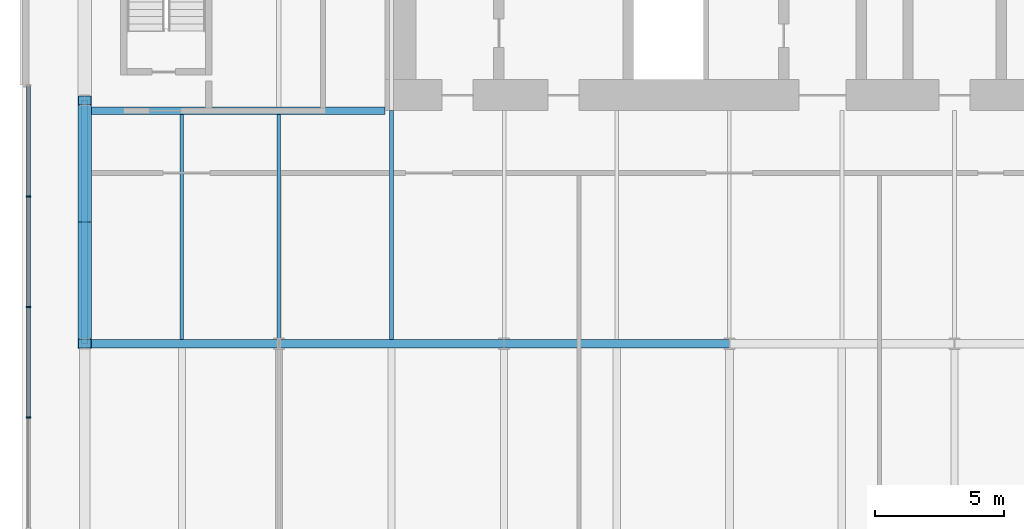
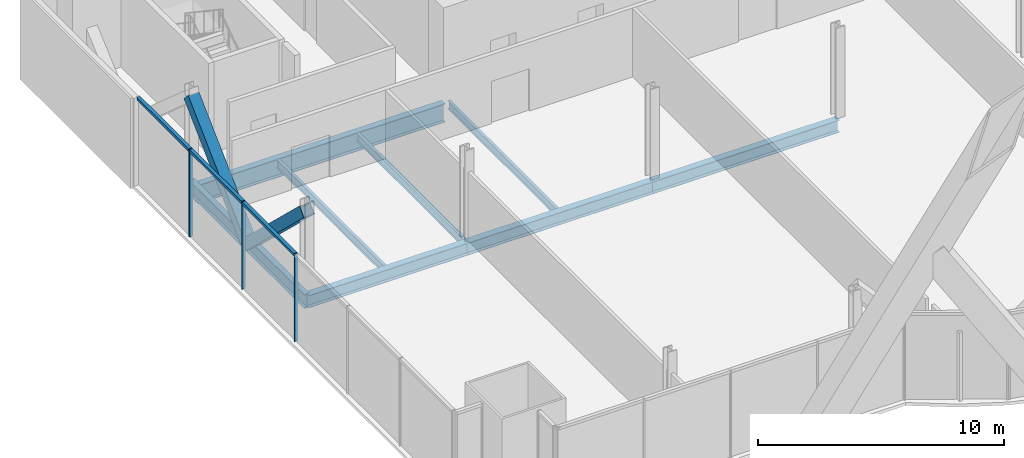
# One storey, part 7 of 23: 8 beams, 8 members, 1 element without a shape of its own.
"""IFC4 building model written with IfcOpenShell, lengths in metres."""

from ifc_helpers import new_model, si_unit, direction, frame, origin, origin_2d, place, context, subcontext, project, spatial, rectangle, hollow_rectangle, i_section, extrude, material, material_profile, profile_set, type_object, element, aggregate, save


model = new_model("IFC4")

# Units and contexts
model_context = context("Model", 3, precision=1e-05, world=origin(), true_north=direction((0.0, 1.0)))
body_context = subcontext(model_context, "Body", "Model", "MODEL_VIEW")
ifc_project = project(units=[si_unit("LENGTHUNIT", "METRE"), si_unit("AREAUNIT", "SQUARE_METRE"), si_unit("VOLUMEUNIT", "CUBIC_METRE"), si_unit("PLANEANGLEUNIT", "RADIAN"), si_unit("MASSUNIT", "GRAM", prefix="KILO")], contexts=[model_context])

# Site, building, storey
site_placement = place(None, origin())
site = spatial("IfcSite", under=ifc_project, at=site_placement, CompositionType="ELEMENT")
building_placement = place(site_placement, origin())
building = spatial("IfcBuilding", under=site, at=building_placement, Name="Bicima Exchange Tower", CompositionType="ELEMENT")
storey_placement = place(building_placement, frame((0.0, 0.0, 53.0)))
storey = spatial("IfcBuildingStorey", under=building, at=storey_placement, Name="L10", CompositionType="ELEMENT", Elevation=53.0)

# Beam
ifc_material_1 = material(Name="Steel ASTM A992 Gr 50", Category="steel")
ifc_material_profile_1 = material_profile(ifc_material_1, i_section(OverallWidth=0.3046875, OverallDepth=0.911865234375, WebThickness=0.015869140625, FlangeThickness=0.02392578125, at=origin_2d()))
ifc_profile_set_1 = profile_set([ifc_material_profile_1], Name="Steel ASTM A992 Gr 50")
beam_type_1 = type_object("IfcBeamType", Name="Core-line girder W36x150", PredefinedType="BEAM", material=ifc_profile_set_1)
beam_1_placement = place(storey_placement, frame((-22.0, -13.0, -0.60595703125), z_axis=(-1.0, 0.0, 0.0), x_axis=(0.0, -1.0, 0.0)))
element("IfcBeam", 1, at=beam_1_placement, inside=storey, type_object=beam_type_1, Name="Core-line girder", PredefinedType="BEAM", context=body_context, shape_type="SweptSolid", body=[
    extrude(i_section(OverallWidth=0.3046875, OverallDepth=0.911865234375, WebThickness=0.015869140625, FlangeThickness=0.02392578125, at=origin_2d()), origin(), (0.0, 0.0, 1.0), 11.60009765625),
])

# Curtain wall, members
ifc_material_2 = material(Name="Anodised bronze aluminium", Category="aluminium")
curtain_wall_type = type_object("IfcCurtainWallType", Name="End face glass wall", PredefinedType="NOTDEFINED", material=ifc_material_2)
curtain_wall_placement = place(storey_placement, origin())
curtain_wall = element("IfcCurtainWall", 2, at=curtain_wall_placement, inside=storey, type_object=curtain_wall_type, Name="End face glass wall L10 run 2", PredefinedType="NOTDEFINED")
ifc_material_profile_2 = material_profile(ifc_material_2, rectangle(XDim=0.159912109375, YDim=0.06005859375, at=origin_2d()))
ifc_profile_set_2 = profile_set([ifc_material_profile_2], Name="Anodised bronze aluminium")
member_type_1 = type_object("IfcMemberType", Name="End face glass wall mullion 60 x 160", PredefinedType="MULLION", material=ifc_profile_set_2)
member_1_placement = place(storey_placement, frame((-35.77001953125, -16.3056640625, 0.0), z_axis=(0.0, 0.0, 1.0), x_axis=(1.0, 0.0, 0.0)))
member_1 = element("IfcMember", 3, at=member_1_placement, type_object=member_type_1, Name="End face glass wall mullion 2", PredefinedType="MULLION", context=body_context, shape_type="SweptSolid", body=[
    extrude(rectangle(XDim=0.159912109375, YDim=0.06005859375, at=origin_2d()), origin(), (0.0, 0.0, 1.0), 4.35009765625),
])
member_2_placement = place(storey_placement, frame((-35.77001953125, -20.581298828125, 0.0), z_axis=(0.0, 0.0, 1.0), x_axis=(1.0, 0.0, 0.0)))
member_2 = element("IfcMember", 4, at=member_2_placement, type_object=member_type_1, Name="End face glass wall mullion 3", PredefinedType="MULLION", context=body_context, shape_type="SweptSolid", body=[
    extrude(rectangle(XDim=0.159912109375, YDim=0.06005859375, at=origin_2d()), origin(), (0.0, 0.0, 1.0), 4.35009765625),
])
member_3_placement = place(storey_placement, frame((-35.77001953125, -24.85693359375, 0.0), z_axis=(0.0, 0.0, 1.0), x_axis=(1.0, 0.0, 0.0)))
member_3 = element("IfcMember", 5, at=member_3_placement, type_object=member_type_1, Name="End face glass wall mullion 4", PredefinedType="MULLION", context=body_context, shape_type="SweptSolid", body=[
    extrude(rectangle(XDim=0.159912109375, YDim=0.06005859375, at=origin_2d()), origin(), (0.0, 0.0, 1.0), 4.35009765625),
])
ifc_material_profile_3 = material_profile(ifc_material_2, rectangle(XDim=0.159912109375, YDim=0.139892578125, at=origin_2d()))
ifc_profile_set_3 = profile_set([ifc_material_profile_3], Name="Anodised bronze aluminium")
member_type_2 = type_object("IfcMemberType", Name="End face glass wall transom 140 x 160", PredefinedType="USERDEFINED", material=ifc_profile_set_3)
member_4_placement = place(storey_placement, frame((-35.77001953125, -12.06005859375, 4.280029296875), z_axis=(0.0, -1.0, 0.0), x_axis=(1.0, 0.0, 0.0)))
member_4 = element("IfcMember", 6, at=member_4_placement, type_object=member_type_2, Name="End face glass wall transom 1.1", ObjectType="TRANSOM", PredefinedType="USERDEFINED", context=body_context, shape_type="SweptSolid", body=[
    extrude(rectangle(XDim=0.159912109375, YDim=0.139892578125, at=origin_2d()), origin(), (0.0, 0.0, 1.0), 4.215576171875),
])
member_5_placement = place(storey_placement, frame((-35.77001953125, -16.335693359375, 4.280029296875), z_axis=(0.0, -1.0, 0.0), x_axis=(1.0, 0.0, 0.0)))
member_5 = element("IfcMember", 7, at=member_5_placement, type_object=member_type_2, Name="End face glass wall transom 2.1", ObjectType="TRANSOM", PredefinedType="USERDEFINED", context=body_context, shape_type="SweptSolid", body=[
    extrude(rectangle(XDim=0.159912109375, YDim=0.139892578125, at=origin_2d()), origin(), (0.0, 0.0, 1.0), 4.215576171875),
])
member_6_placement = place(storey_placement, frame((-35.77001953125, -20.611328125, 4.280029296875), z_axis=(0.0, -1.0, 0.0), x_axis=(1.0, 0.0, 0.0)))
member_6 = element("IfcMember", 8, at=member_6_placement, type_object=member_type_2, Name="End face glass wall transom 3.1", ObjectType="TRANSOM", PredefinedType="USERDEFINED", context=body_context, shape_type="SweptSolid", body=[
    extrude(rectangle(XDim=0.159912109375, YDim=0.139892578125, at=origin_2d()), origin(), (0.0, 0.0, 1.0), 4.215576171875),
])
aggregate(curtain_wall, [member_1, member_2, member_3, member_4, member_5, member_6])

# Beams
ifc_material_profile_4 = material_profile(ifc_material_1, i_section(OverallWidth=0.256591796875, OverallDepth=0.693359375, WebThickness=0.014404296875, FlangeThickness=0.023681640625, at=origin_2d()))
ifc_profile_set_4 = profile_set([ifc_material_profile_4], Name="Steel ASTM A992 Gr 50")
beam_type_2 = type_object("IfcBeamType", Name="End girder W27x114", PredefinedType="BEAM", material=ifc_profile_set_4)
beam_2_placement = place(storey_placement, frame((-33.60009765625, -12.60009765625, -0.49658203125), z_axis=(0.0, -1.0, 0.0), x_axis=(1.0, 0.0, 0.0)))
element("IfcBeam", 9, at=beam_2_placement, inside=storey, type_object=beam_type_2, Name="End girder", PredefinedType="BEAM", context=body_context, shape_type="SweptSolid", body=[
    extrude(i_section(OverallWidth=0.256591796875, OverallDepth=0.693359375, WebThickness=0.014404296875, FlangeThickness=0.023681640625, at=origin_2d()), origin(), (0.0, 0.0, 1.0), 9.39990234375),
])
ifc_material_profile_5 = material_profile(ifc_material_1, i_section(OverallWidth=0.140380859375, OverallDepth=0.40380859375, WebThickness=0.007080078125, FlangeThickness=0.01123046875, at=origin_2d()))
ifc_profile_set_5 = profile_set([ifc_material_profile_5], Name="Steel ASTM A992 Gr 50")
beam_type_3 = type_object("IfcBeamType", Name="Floor beam W16x31", PredefinedType="JOIST", material=ifc_profile_set_5)
for number, where, z_axis, x_axis, name in (
    (10, (-29.85009765625, -13.15234375, -0.351806640625), (0.0, -1.0, 0.0), (1.0, 0.0, 0.0), "Floor beam"),
    (11, (-26.10009765625, -13.15234375, -0.351806640625), (0.0, -1.0, 0.0), (1.0, 0.0, 0.0), "Floor beam"),
):
    element("IfcBeam", number, at=place(storey_placement, frame(where, z_axis=z_axis, x_axis=x_axis)), inside=storey, type_object=beam_type_3, Name=name, PredefinedType="JOIST", context=body_context, shape_type="SweptSolid", body=[
        extrude(i_section(OverallWidth=0.140380859375, OverallDepth=0.40380859375, WebThickness=0.007080078125, FlangeThickness=0.01123046875, at=origin_2d()), origin(), (0.0, 0.0, 1.0), 8.68505859375),
    ])
beam_3_placement = place(storey_placement, frame((-21.75, -13.0, -0.351806640625), z_axis=(0.0, -1.0, 0.0), x_axis=(1.0, 0.0, 0.0)))
element("IfcBeam", 12, at=beam_3_placement, inside=storey, type_object=beam_type_3, Name="Floor beam", PredefinedType="JOIST", context=body_context, shape_type="SweptSolid", body=[
    extrude(i_section(OverallWidth=0.140380859375, OverallDepth=0.40380859375, WebThickness=0.007080078125, FlangeThickness=0.01123046875, at=origin_2d()), origin(), (0.0, 0.0, 1.0), 8.83740234375),
])

# Members
ifc_material_3 = material(Name="Steel ASTM A572 Gr 50", Category="steel")
ifc_material_profile_6 = material_profile(ifc_material_3, hollow_rectangle(XDim=0.508056640625, YDim=0.508056640625, WallThickness=0.017822265625, at=origin_2d()))
ifc_profile_set_6 = profile_set([ifc_material_profile_6], Name="Steel ASTM A572 Gr 50")
member_type_3 = type_object("IfcMemberType", Name="Mega brace HSS20x20x3/4", PredefinedType="BRACE", material=ifc_profile_set_6)
for number, where, z_axis, x_axis, name in (
    (13, (-33.60009765625, -17.300048828125, -0.49658203125), (0.0, -0.722304421208, 0.691575247608), (1.0, 0.0, 0.0), "Mega brace west end"),
    (14, (-33.60009765625, -17.300048828125, -0.49658203125), (0.0, 0.722304421208, 0.691575247608), (-1.0, 0.0, 0.0), "Mega brace west end"),
):
    element("IfcMember", number, at=place(storey_placement, frame(where, z_axis=z_axis, x_axis=x_axis)), inside=storey, type_object=member_type_3, Name=name, PredefinedType="BRACE", context=body_context, shape_type="SweptSolid", body=[
        extrude(hollow_rectangle(XDim=0.508056640625, YDim=0.508056640625, WallThickness=0.017822265625, at=origin_2d()), origin(), (0.0, 0.0, 1.0), 6.5068359375),
    ])

# Beams
ifc_material_profile_7 = material_profile(ifc_material_1, i_section(OverallWidth=0.3251953125, OverallDepth=0.612060546875, WebThickness=0.0126953125, FlangeThickness=0.01904296875, at=origin_2d()))
ifc_profile_set_7 = profile_set([ifc_material_profile_7], Name="Steel ASTM A992 Gr 50")
beam_type_4 = type_object("IfcBeamType", Name="Row girder W24x104", PredefinedType="BEAM", material=ifc_profile_set_7)
beam_4_placement = place(storey_placement, frame((-33.60009765625, -22.0, -0.4560546875), z_axis=(1.0, 0.0, 0.0), x_axis=(0.0, 1.0, 0.0)))
element("IfcBeam", 15, at=beam_4_placement, inside=storey, type_object=beam_type_4, Name="Row girder", PredefinedType="BEAM", context=body_context, shape_type="SweptSolid", body=[
    extrude(i_section(OverallWidth=0.3251953125, OverallDepth=0.612060546875, WebThickness=0.0126953125, FlangeThickness=0.01904296875, at=origin_2d()), origin(), (0.0, 0.0, 1.0), 7.5),
])
beam_5_placement = place(storey_placement, frame((-26.10009765625, -22.0, -0.4560546875), z_axis=(1.0, 0.0, 0.0), x_axis=(0.0, 1.0, 0.0)))
element("IfcBeam", 16, at=beam_5_placement, inside=storey, type_object=beam_type_4, Name="Row girder", PredefinedType="BEAM", context=body_context, shape_type="SweptSolid", body=[
    extrude(i_section(OverallWidth=0.3251953125, OverallDepth=0.612060546875, WebThickness=0.0126953125, FlangeThickness=0.01904296875, at=origin_2d()), origin(), (0.0, 0.0, 1.0), 8.7001953125),
])
beam_6_placement = place(storey_placement, frame((-17.39990234375, -22.0, -0.4560546875), z_axis=(1.0, 0.0, 0.0), x_axis=(0.0, 1.0, 0.0)))
element("IfcBeam", 17, at=beam_6_placement, inside=storey, type_object=beam_type_4, Name="Row girder", PredefinedType="BEAM", context=body_context, shape_type="SweptSolid", body=[
    extrude(i_section(OverallWidth=0.3251953125, OverallDepth=0.612060546875, WebThickness=0.0126953125, FlangeThickness=0.01904296875, at=origin_2d()), origin(), (0.0, 0.0, 1.0), 8.699951171875),
])

save(model, "model.ifc")
